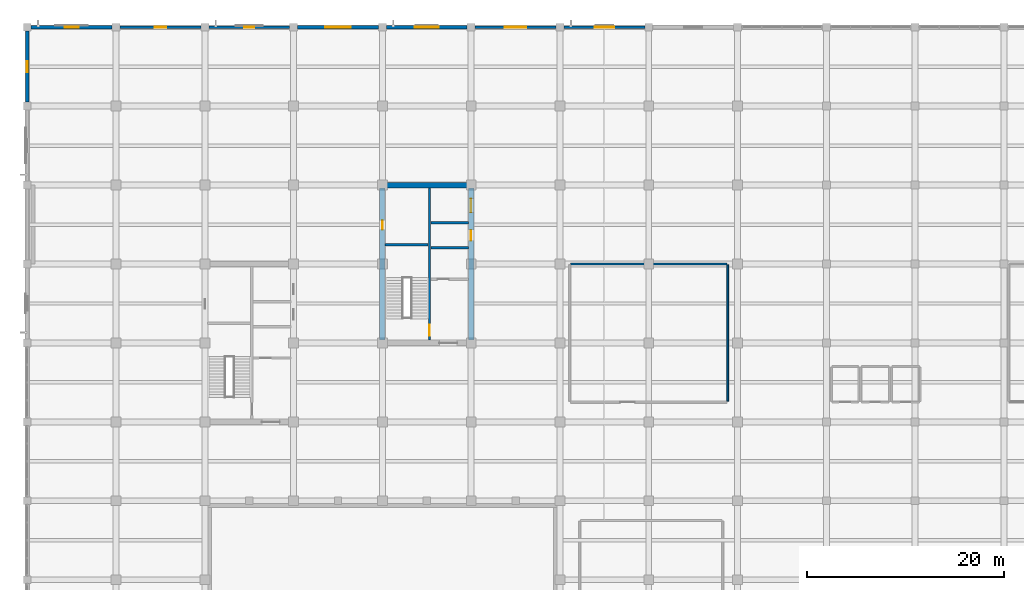
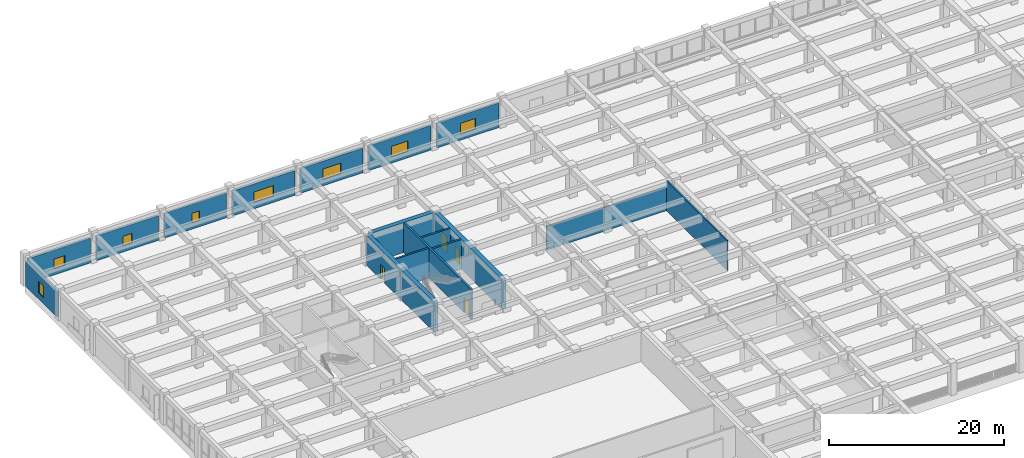
# One storey, part 30 of 50: 17 walls, 8 windows, 4 doors, 12 openings.
"""IFC4 building model written with IfcOpenShell, lengths in metres."""

from ifc_helpers import new_model, si_unit, direction, frame, frame_2d, origin, place, context, subcontext, project, spatial, rectangle, extrude, material, layer, layer_set, type_object, element, fill, save


model = new_model("IFC4")

# Units and contexts
model_context = context("Model", 3, precision=1e-05, world=origin(), true_north=direction((0.0, 1.0)))
body_context = subcontext(model_context, "Body", "Model", "MODEL_VIEW")
ifc_project = project(units=[si_unit("LENGTHUNIT", "METRE"), si_unit("AREAUNIT", "SQUARE_METRE"), si_unit("VOLUMEUNIT", "CUBIC_METRE"), si_unit("PLANEANGLEUNIT", "RADIAN"), si_unit("MASSUNIT", "GRAM", prefix="KILO")], contexts=[model_context])

# Site, building, storey
site_placement = place(None, origin())
site = spatial("IfcSite", under=ifc_project, at=site_placement, CompositionType="ELEMENT")
building_placement = place(site_placement, origin())
building = spatial("IfcBuilding", under=site, at=building_placement, Name="Zaverband Oceanarium and Marine Research Institute", CompositionType="ELEMENT")
storey_placement = place(building_placement, frame((0.0, 0.0, 4.5)))
storey = spatial("IfcBuildingStorey", under=building, at=storey_placement, Name="L01", CompositionType="ELEMENT", Elevation=4.5)

# Wall
ifc_material_1 = material(Name="Concrete C50/60", Category="concrete")
ifc_layer_1 = layer(ifc_material_1, 0.550048828125, Name="Concrete C50/60")
ifc_layer_set_1 = layer_set([ifc_layer_1], Name="Concrete C50/60")
wall_type_1 = type_object("IfcWallType", Name="CW-01", PredefinedType="SHEAR", material=ifc_layer_set_1)
wall_1_placement = place(storey_placement, frame((36.27490234375, 104.0, 0.0), z_axis=(0.0, 0.0, 1.0), x_axis=(1.0, 0.0, 0.0)))
element("IfcWall", 1, at=wall_1_placement, inside=storey, type_object=wall_type_1, Name="Structural shear wall CW-01", PredefinedType="SHEAR", context=body_context, shape_type="SweptSolid", body=[
    extrude(rectangle(XDim=8.4501953125, YDim=0.550048828125, at=frame_2d((4.22509765625, 0.0))), origin(), (0.0, 0.0, 1.0), 4.179931640625),
])

# Wall, opening, door
wall_2_placement = place(storey_placement, frame((36.0, 88.27490234375, 0.0), z_axis=(0.0, 0.0, 1.0), x_axis=(0.0, 1.0, 0.0)))
wall_2 = element("IfcWall", 2, at=wall_2_placement, inside=storey, type_object=wall_type_1, Name="Structural shear wall CW-01", PredefinedType="SHEAR", context=body_context, shape_type="SweptSolid", body=[
    extrude(rectangle(XDim=15.4501953125, YDim=0.550048828125, at=frame_2d((7.72509765625, 0.0))), origin(), (0.0, 0.0, 1.0), 4.179931640625),
])
opening_1_placement = place(wall_2_placement, frame((11.199951171875, 0.0, 0.0)))
opening_1 = element("IfcOpeningElement", 3, at=opening_1_placement, cuts=wall_2, Name="Opening FD-03", PredefinedType="OPENING", context=body_context, shape_type="SweptSolid", body=[
    extrude(rectangle(XDim=0.949951171875, YDim=2.10009765625, at=frame_2d((0.47509765625, 1.050048828125))), frame((0.0, 0.287109375, 0.0), z_axis=(0.0, -1.0, 0.0), x_axis=(1.0, 0.0, 0.0)), (0.0, 0.0, 1.0), 0.573974609375),
])
ifc_material_2 = material(Name="Steel S355", Category="steel")
door_type_1 = type_object("IfcDoorType", Name="FD-03", OperationType="NOTDEFINED", PredefinedType="DOOR", material=ifc_material_2)
door_1_placement = place(opening_1_placement, origin())
door_1 = element("IfcDoor", 4, at=door_1_placement, inside=storey, type_object=door_type_1, Name="Service riser access fire door FD-03", OperationType="SINGLE_SWING_RIGHT", OverallHeight=2.10009765625, OverallWidth=0.949951171875, PredefinedType="DOOR", context=body_context, shape_type="SweptSolid", body=[
    extrude(rectangle(XDim=0.949951171875, YDim=2.10009765625, at=frame_2d((0.47509765625, 1.050048828125))), frame((0.0, 0.02490234375, 0.0), z_axis=(0.0, -1.0, 0.0), x_axis=(1.0, 0.0, 0.0)), (0.0, 0.0, 1.0), 0.050048828125),
])
fill(opening_1, door_1)

# Wall, openings, doors
wall_3_placement = place(storey_placement, frame((45.0, 88.27490234375, 0.0), z_axis=(0.0, 0.0, 1.0), x_axis=(0.0, 1.0, 0.0)))
wall_3 = element("IfcWall", 5, at=wall_3_placement, inside=storey, type_object=wall_type_1, Name="Structural shear wall CW-01", PredefinedType="SHEAR", context=body_context, shape_type="SweptSolid", body=[
    extrude(rectangle(XDim=15.4501953125, YDim=0.550048828125, at=frame_2d((7.72509765625, 0.0))), origin(), (0.0, 0.0, 1.0), 4.179931640625),
])
opening_2_placement = place(wall_3_placement, frame((10.10009765625, 0.0, 0.0)))
opening_2 = element("IfcOpeningElement", 6, at=opening_2_placement, cuts=wall_3, Name="Opening LD-02", PredefinedType="OPENING", context=body_context, shape_type="SweptSolid", body=[
    extrude(rectangle(XDim=1.050048828125, YDim=2.1201171875, at=frame_2d((0.52490234375, 1.06005859375))), frame((0.0, 0.287109375, 0.0), z_axis=(0.0, -1.0, 0.0), x_axis=(1.0, 0.0, 0.0)), (0.0, 0.0, 1.0), 0.573974609375),
])
opening_3_placement = place(wall_3_placement, frame((12.949951171875, 0.0, 0.0)))
opening_3 = element("IfcOpeningElement", 7, at=opening_3_placement, cuts=wall_3, Name="Opening LD-03", PredefinedType="OPENING", context=body_context, shape_type="SweptSolid", body=[
    extrude(rectangle(XDim=1.39990234375, YDim=2.199951171875, at=frame_2d((0.699951171875, 1.10009765625))), frame((0.0, 0.287109375, 0.0), z_axis=(0.0, -1.0, 0.0), x_axis=(1.0, 0.0, 0.0)), (0.0, 0.0, 1.0), 0.573974609375),
])
door_type_2 = type_object("IfcDoorType", Name="LD-02", OperationType="DOUBLE_DOOR_SLIDING", PredefinedType="DOOR", material=ifc_material_2)
door_2_placement = place(opening_2_placement, origin())
door_2 = element("IfcDoor", 8, at=door_2_placement, inside=storey, type_object=door_type_2, Name="Passenger lift sliding landing door LD-02", OperationType="DOUBLE_DOOR_SLIDING", OverallHeight=2.1201171875, OverallWidth=1.050048828125, PredefinedType="DOOR", context=body_context, shape_type="SweptSolid", body=[
    extrude(rectangle(XDim=1.050048828125, YDim=2.1201171875, at=frame_2d((0.52490234375, 1.06005859375))), frame((0.0, 0.02490234375, 0.0), z_axis=(0.0, -1.0, 0.0), x_axis=(1.0, 0.0, 0.0)), (0.0, 0.0, 1.0), 0.050048828125),
])
fill(opening_2, door_2)
door_type_3 = type_object("IfcDoorType", Name="LD-03", OperationType="DOUBLE_DOOR_SLIDING", PredefinedType="DOOR", material=ifc_material_2)
door_3_placement = place(opening_3_placement, origin())
door_3 = element("IfcDoor", 9, at=door_3_placement, inside=storey, type_object=door_type_3, Name="Specimen goods lift sliding landing door LD-03", OperationType="DOUBLE_DOOR_SLIDING", OverallHeight=2.199951171875, OverallWidth=1.39990234375, PredefinedType="DOOR", context=body_context, shape_type="SweptSolid", body=[
    extrude(rectangle(XDim=1.39990234375, YDim=2.199951171875, at=frame_2d((0.699951171875, 1.10009765625))), frame((0.0, 0.02490234375, 0.0), z_axis=(0.0, -1.0, 0.0), x_axis=(1.0, 0.0, 0.0)), (0.0, 0.0, 1.0), 0.050048828125),
])
fill(opening_3, door_3)

# Wall, opening, window
ifc_material_3 = material(Name="Concrete C40/50 precast", Category="concrete")
ifc_layer_2 = layer(ifc_material_3, 0.264892578125, Name="Concrete C40/50 precast")
ifc_layer_set_2 = layer_set([ifc_layer_2], Name="Concrete C40/50 precast")
wall_type_2 = type_object("IfcWallType", Name="EW-265", PredefinedType="STANDARD", material=ifc_layer_set_2)
wall_4_placement = place(storey_placement, frame((18.405029296875, 120.0, 0.0), z_axis=(0.0, 0.0, 1.0), x_axis=(1.0, 0.0, 0.0)))
wall_4 = element("IfcWall", 10, at=wall_4_placement, inside=storey, type_object=wall_type_2, Name="Exterior infill wall EW-265", PredefinedType="STANDARD", context=body_context, shape_type="SweptSolid", body=[
    extrude(rectangle(XDim=8.18994140625, YDim=0.264892578125, at=frame_2d((4.094970703125, 0.0))), origin(), (0.0, 0.0, 1.0), 3.4599609375),
])
opening_4_placement = place(wall_4_placement, frame((3.594970703125, 0.0, 0.85009765625)))
opening_4 = element("IfcOpeningElement", 11, at=opening_4_placement, cuts=wall_4, Name="Opening WN-1000x1350", PredefinedType="OPENING", context=body_context, shape_type="SweptSolid", body=[
    extrude(rectangle(XDim=1.0, YDim=1.35009765625, at=frame_2d((0.5, 0.675048828125))), frame((0.0, 0.14453125, 0.0), z_axis=(0.0, -1.0, 0.0), x_axis=(1.0, 0.0, 0.0)), (0.0, 0.0, 1.0), 0.288818359375),
])
ifc_material_4 = material(Name="Thermally broken anodized aluminium and solar-control glass", Category="aluminium")
window_type_1 = type_object("IfcWindowType", Name="WN-1000x1350", PartitioningType="SINGLE_PANEL", PredefinedType="WINDOW", material=ifc_material_4)
window_1_placement = place(opening_4_placement, origin())
window_1 = element("IfcWindow", 12, at=window_1_placement, inside=storey, type_object=window_type_1, Name="Fixed / casement exterior window WN-1000x1350", OverallHeight=1.35009765625, OverallWidth=1.0, PartitioningType="SINGLE_PANEL", PredefinedType="WINDOW", context=body_context, shape_type="SweptSolid", body=[
    extrude(rectangle(XDim=1.0, YDim=1.35009765625, at=frame_2d((0.5, 0.675048828125))), frame((0.0, 0.030029296875, 0.0), z_axis=(0.0, -1.0, 0.0), x_axis=(1.0, 0.0, 0.0)), (0.0, 0.0, 1.0), 0.06005859375),
])
fill(opening_4, window_1)

wall_5_placement = place(storey_placement, frame((54.405029296875, 120.0, 0.0), z_axis=(0.0, 0.0, 1.0), x_axis=(1.0, 0.0, 0.0)))
wall_5 = element("IfcWall", 13, at=wall_5_placement, inside=storey, type_object=wall_type_2, Name="Exterior infill wall EW-265", PredefinedType="STANDARD", context=body_context, shape_type="SweptSolid", body=[
    extrude(rectangle(XDim=8.18994140625, YDim=0.264892578125, at=frame_2d((4.094970703125, 0.0))), origin(), (0.0, 0.0, 1.0), 3.4599609375),
])
opening_5_placement = place(wall_5_placement, frame((3.094970703125, 0.0, 0.85009765625)))
opening_5 = element("IfcOpeningElement", 14, at=opening_5_placement, cuts=wall_5, Name="Opening WN-2000x1500", PredefinedType="OPENING", context=body_context, shape_type="SweptSolid", body=[
    extrude(rectangle(XDim=2.0, YDim=1.5, at=frame_2d((1.0, 0.75))), frame((0.0, 0.14453125, 0.0), z_axis=(0.0, -1.0, 0.0), x_axis=(1.0, 0.0, 0.0)), (0.0, 0.0, 1.0), 0.288818359375),
])
window_type_2 = type_object("IfcWindowType", Name="WN-2000x1500", PartitioningType="SINGLE_PANEL", PredefinedType="WINDOW", material=ifc_material_4)
window_2_placement = place(opening_5_placement, origin())
window_2 = element("IfcWindow", 15, at=window_2_placement, inside=storey, type_object=window_type_2, Name="Fixed / casement exterior window WN-2000x1500", OverallHeight=1.5, OverallWidth=2.0, PartitioningType="SINGLE_PANEL", PredefinedType="WINDOW", context=body_context, shape_type="SweptSolid", body=[
    extrude(rectangle(XDim=2.0, YDim=1.5, at=frame_2d((1.0, 0.75))), frame((0.0, 0.030029296875, 0.0), z_axis=(0.0, -1.0, 0.0), x_axis=(1.0, 0.0, 0.0)), (0.0, 0.0, 1.0), 0.06005859375),
])
fill(opening_5, window_2)

ifc_layer_3 = layer(ifc_material_3, 0.2900390625, Name="Concrete C40/50 precast")
ifc_layer_set_3 = layer_set([ifc_layer_3], Name="Concrete C40/50 precast")
wall_type_3 = type_object("IfcWallType", Name="EW-290", PredefinedType="STANDARD", material=ifc_layer_set_3)
wall_6_placement = place(storey_placement, frame((9.405029296875, 120.0, 0.0), z_axis=(0.0, 0.0, 1.0), x_axis=(1.0, 0.0, 0.0)))
wall_6 = element("IfcWall", 16, at=wall_6_placement, inside=storey, type_object=wall_type_3, Name="Exterior infill wall EW-290", PredefinedType="STANDARD", context=body_context, shape_type="SweptSolid", body=[
    extrude(rectangle(XDim=8.18994140625, YDim=0.2900390625, at=frame_2d((4.094970703125, 0.0))), origin(), (0.0, 0.0, 1.0), 3.4599609375),
])
opening_6_placement = place(wall_6_placement, frame((3.4951171875, 0.0, 0.85009765625)))
opening_6 = element("IfcOpeningElement", 17, at=opening_6_placement, cuts=wall_6, Name="Opening WN-1200x1350", PredefinedType="OPENING", context=body_context, shape_type="SweptSolid", body=[
    extrude(rectangle(XDim=1.199951171875, YDim=1.35009765625, at=frame_2d((0.60009765625, 0.675048828125))), frame((0.0, 0.156982421875, 0.0), z_axis=(0.0, -1.0, 0.0), x_axis=(1.0, 0.0, 0.0)), (0.0, 0.0, 1.0), 0.31396484375),
])
window_type_3 = type_object("IfcWindowType", Name="WN-1200x1350", PartitioningType="SINGLE_PANEL", PredefinedType="WINDOW", material=ifc_material_4)
window_3_placement = place(opening_6_placement, origin())
window_3 = element("IfcWindow", 18, at=window_3_placement, inside=storey, type_object=window_type_3, Name="Fixed / casement exterior window WN-1200x1350", OverallHeight=1.35009765625, OverallWidth=1.199951171875, PartitioningType="SINGLE_PANEL", PredefinedType="WINDOW", context=body_context, shape_type="SweptSolid", body=[
    extrude(rectangle(XDim=1.199951171875, YDim=1.35009765625, at=frame_2d((0.60009765625, 0.675048828125))), frame((0.0, 0.030029296875, 0.0), z_axis=(0.0, -1.0, 0.0), x_axis=(1.0, 0.0, 0.0)), (0.0, 0.0, 1.0), 0.06005859375),
])
fill(opening_6, window_3)

wall_7_placement = place(storey_placement, frame((45.405029296875, 120.0, 0.0), z_axis=(0.0, 0.0, 1.0), x_axis=(1.0, 0.0, 0.0)))
wall_7 = element("IfcWall", 19, at=wall_7_placement, inside=storey, type_object=wall_type_3, Name="Exterior infill wall EW-290", PredefinedType="STANDARD", context=body_context, shape_type="SweptSolid", body=[
    extrude(rectangle(XDim=8.18994140625, YDim=0.2900390625, at=frame_2d((4.094970703125, 0.0))), origin(), (0.0, 0.0, 1.0), 3.4599609375),
])
opening_7_placement = place(wall_7_placement, frame((2.9951171875, 0.0, 0.85009765625)))
opening_7 = element("IfcOpeningElement", 20, at=opening_7_placement, cuts=wall_7, Name="Opening WN-2200x1500", PredefinedType="OPENING", context=body_context, shape_type="SweptSolid", body=[
    extrude(rectangle(XDim=2.199951171875, YDim=1.5, at=frame_2d((1.10009765625, 0.75))), frame((0.0, 0.156982421875, 0.0), z_axis=(0.0, -1.0, 0.0), x_axis=(1.0, 0.0, 0.0)), (0.0, 0.0, 1.0), 0.31396484375),
])
window_type_4 = type_object("IfcWindowType", Name="WN-2200x1500", PartitioningType="SINGLE_PANEL", PredefinedType="WINDOW", material=ifc_material_4)
window_4_placement = place(opening_7_placement, origin())
window_4 = element("IfcWindow", 21, at=window_4_placement, inside=storey, type_object=window_type_4, Name="Fixed / casement exterior window WN-2200x1500", OverallHeight=1.5, OverallWidth=2.199951171875, PartitioningType="SINGLE_PANEL", PredefinedType="WINDOW", context=body_context, shape_type="SweptSolid", body=[
    extrude(rectangle(XDim=2.199951171875, YDim=1.5, at=frame_2d((1.10009765625, 0.75))), frame((0.0, 0.030029296875, 0.0), z_axis=(0.0, -1.0, 0.0), x_axis=(1.0, 0.0, 0.0)), (0.0, 0.0, 1.0), 0.06005859375),
])
fill(opening_7, window_4)

ifc_layer_4 = layer(ifc_material_3, 0.31005859375, Name="Concrete C40/50 precast")
ifc_layer_set_4 = layer_set([ifc_layer_4], Name="Concrete C40/50 precast")
wall_type_4 = type_object("IfcWallType", Name="EW-310", PredefinedType="STANDARD", material=ifc_layer_set_4)
wall_8_placement = place(storey_placement, frame((0.405029296875, 120.0, 0.0), z_axis=(0.0, 0.0, 1.0), x_axis=(1.0, 0.0, 0.0)))
wall_8 = element("IfcWall", 22, at=wall_8_placement, inside=storey, type_object=wall_type_4, Name="Exterior infill wall EW-310", PredefinedType="STANDARD", context=body_context, shape_type="SweptSolid", body=[
    extrude(rectangle(XDim=8.18994140625, YDim=0.31005859375, at=frame_2d((4.094970703125, 0.0))), origin(), (0.0, 0.0, 1.0), 3.4599609375),
])
opening_8_placement = place(wall_8_placement, frame((3.39501953125, 0.0, 0.85009765625)))
opening_8 = element("IfcOpeningElement", 23, at=opening_8_placement, cuts=wall_8, Name="Opening WN-1400x1350", PredefinedType="OPENING", context=body_context, shape_type="SweptSolid", body=[
    extrude(rectangle(XDim=1.39990234375, YDim=1.35009765625, at=frame_2d((0.699951171875, 0.675048828125))), frame((0.0, 0.1669921875, 0.0), z_axis=(0.0, -1.0, 0.0), x_axis=(1.0, 0.0, 0.0)), (0.0, 0.0, 1.0), 0.333984375),
])
window_type_5 = type_object("IfcWindowType", Name="WN-1400x1350", PartitioningType="SINGLE_PANEL", PredefinedType="WINDOW", material=ifc_material_4)
window_5_placement = place(opening_8_placement, origin())
window_5 = element("IfcWindow", 24, at=window_5_placement, inside=storey, type_object=window_type_5, Name="Fixed / casement exterior window WN-1400x1350", OverallHeight=1.35009765625, OverallWidth=1.39990234375, PartitioningType="SINGLE_PANEL", PredefinedType="WINDOW", context=body_context, shape_type="SweptSolid", body=[
    extrude(rectangle(XDim=1.39990234375, YDim=1.35009765625, at=frame_2d((0.699951171875, 0.675048828125))), frame((0.0, 0.030029296875, 0.0), z_axis=(0.0, -1.0, 0.0), x_axis=(1.0, 0.0, 0.0)), (0.0, 0.0, 1.0), 0.06005859375),
])
fill(opening_8, window_5)

wall_9_placement = place(storey_placement, frame((36.405029296875, 120.0, 0.0), z_axis=(0.0, 0.0, 1.0), x_axis=(1.0, 0.0, 0.0)))
wall_9 = element("IfcWall", 25, at=wall_9_placement, inside=storey, type_object=wall_type_4, Name="Exterior infill wall EW-310", PredefinedType="STANDARD", context=body_context, shape_type="SweptSolid", body=[
    extrude(rectangle(XDim=8.18994140625, YDim=0.31005859375, at=frame_2d((4.094970703125, 0.0))), origin(), (0.0, 0.0, 1.0), 3.4599609375),
])
opening_9_placement = place(wall_9_placement, frame((2.89501953125, 0.0, 0.85009765625)))
opening_9 = element("IfcOpeningElement", 26, at=opening_9_placement, cuts=wall_9, Name="Opening WN-2400x1500", PredefinedType="OPENING", context=body_context, shape_type="SweptSolid", body=[
    extrude(rectangle(XDim=2.39990234375, YDim=1.5, at=frame_2d((1.199951171875, 0.75))), frame((0.0, 0.1669921875, 0.0), z_axis=(0.0, -1.0, 0.0), x_axis=(1.0, 0.0, 0.0)), (0.0, 0.0, 1.0), 0.333984375),
])
window_type_6 = type_object("IfcWindowType", Name="WN-2400x1500", PartitioningType="SINGLE_PANEL", PredefinedType="WINDOW", material=ifc_material_4)
window_6_placement = place(opening_9_placement, origin())
window_6 = element("IfcWindow", 27, at=window_6_placement, inside=storey, type_object=window_type_6, Name="Fixed / casement exterior window WN-2400x1500", OverallHeight=1.5, OverallWidth=2.39990234375, PartitioningType="SINGLE_PANEL", PredefinedType="WINDOW", context=body_context, shape_type="SweptSolid", body=[
    extrude(rectangle(XDim=2.39990234375, YDim=1.5, at=frame_2d((1.199951171875, 0.75))), frame((0.0, 0.030029296875, 0.0), z_axis=(0.0, -1.0, 0.0), x_axis=(1.0, 0.0, 0.0)), (0.0, 0.0, 1.0), 0.06005859375),
])
fill(opening_9, window_6)

wall_10_placement = place(storey_placement, frame((0.0, 112.405029296875, 0.0), z_axis=(0.0, 0.0, 1.0), x_axis=(0.0, 1.0, 0.0)))
wall_10 = element("IfcWall", 28, at=wall_10_placement, inside=storey, type_object=wall_type_4, Name="Exterior infill wall EW-310", PredefinedType="STANDARD", context=body_context, shape_type="SweptSolid", body=[
    extrude(rectangle(XDim=7.18994140625, YDim=0.31005859375, at=frame_2d((3.594970703125, 0.0))), origin(), (0.0, 0.0, 1.0), 3.4599609375),
])
opening_10_placement = place(wall_10_placement, frame((3.044921875, 0.0, 0.85009765625)))
opening_10 = element("IfcOpeningElement", 29, at=opening_10_placement, cuts=wall_10, Name="Opening WN-1100x1650", PredefinedType="OPENING", context=body_context, shape_type="SweptSolid", body=[
    extrude(rectangle(XDim=1.10009765625, YDim=1.64990234375, at=frame_2d((0.550048828125, 0.824951171875))), frame((0.0, 0.1669921875, 0.0), z_axis=(0.0, -1.0, 0.0), x_axis=(1.0, 0.0, 0.0)), (0.0, 0.0, 1.0), 0.333984375),
])
window_type_7 = type_object("IfcWindowType", Name="WN-1100x1650", PartitioningType="SINGLE_PANEL", PredefinedType="WINDOW", material=ifc_material_4)
window_7_placement = place(opening_10_placement, origin())
window_7 = element("IfcWindow", 30, at=window_7_placement, inside=storey, type_object=window_type_7, Name="Fixed / casement exterior window WN-1100x1650", OverallHeight=1.64990234375, OverallWidth=1.10009765625, PartitioningType="SINGLE_PANEL", PredefinedType="WINDOW", context=body_context, shape_type="SweptSolid", body=[
    extrude(rectangle(XDim=1.10009765625, YDim=1.64990234375, at=frame_2d((0.550048828125, 0.824951171875))), frame((0.0, 0.030029296875, 0.0), z_axis=(0.0, -1.0, 0.0), x_axis=(1.0, 0.0, 0.0)), (0.0, 0.0, 1.0), 0.06005859375),
])
fill(opening_10, window_7)

ifc_layer_5 = layer(ifc_material_3, 0.340087890625, Name="Concrete C40/50 precast")
ifc_layer_set_5 = layer_set([ifc_layer_5], Name="Concrete C40/50 precast")
wall_type_5 = type_object("IfcWallType", Name="EW-340", PredefinedType="STANDARD", material=ifc_layer_set_5)
wall_11_placement = place(storey_placement, frame((27.405029296875, 120.0, 0.0), z_axis=(0.0, 0.0, 1.0), x_axis=(1.0, 0.0, 0.0)))
wall_11 = element("IfcWall", 31, at=wall_11_placement, inside=storey, type_object=wall_type_5, Name="Exterior infill wall EW-340", PredefinedType="STANDARD", context=body_context, shape_type="SweptSolid", body=[
    extrude(rectangle(XDim=8.18994140625, YDim=0.340087890625, at=frame_2d((4.094970703125, 0.0))), origin(), (0.0, 0.0, 1.0), 3.4599609375),
])
opening_11_placement = place(wall_11_placement, frame((2.794921875, 0.0, 0.85009765625)))
opening_11 = element("IfcOpeningElement", 32, at=opening_11_placement, cuts=wall_11, Name="Opening WN-2600x1500", PredefinedType="OPENING", context=body_context, shape_type="SweptSolid", body=[
    extrude(rectangle(XDim=2.60009765625, YDim=1.5, at=frame_2d((1.300048828125, 0.75))), frame((0.0, 0.18212890625, 0.0), z_axis=(0.0, -1.0, 0.0), x_axis=(1.0, 0.0, 0.0)), (0.0, 0.0, 1.0), 0.364013671875),
])
window_type_8 = type_object("IfcWindowType", Name="WN-2600x1500", PartitioningType="SINGLE_PANEL", PredefinedType="WINDOW", material=ifc_material_4)
window_8_placement = place(opening_11_placement, origin())
window_8 = element("IfcWindow", 33, at=window_8_placement, inside=storey, type_object=window_type_8, Name="Fixed / casement exterior window WN-2600x1500", OverallHeight=1.5, OverallWidth=2.60009765625, PartitioningType="SINGLE_PANEL", PredefinedType="WINDOW", context=body_context, shape_type="SweptSolid", body=[
    extrude(rectangle(XDim=2.60009765625, YDim=1.5, at=frame_2d((1.300048828125, 0.75))), frame((0.0, 0.030029296875, 0.0), z_axis=(0.0, -1.0, 0.0), x_axis=(1.0, 0.0, 0.0)), (0.0, 0.0, 1.0), 0.06005859375),
])
fill(opening_11, window_8)

# Walls
ifc_material_5 = material(Name="Moisture-resistant laboratory blockwork", Category="masonry")
ifc_layer_6 = layer(ifc_material_5, 0.179931640625, Name="Moisture-resistant laboratory blockwork")
ifc_layer_set_6 = layer_set([ifc_layer_6], Name="Moisture-resistant laboratory blockwork")
wall_type_6 = type_object("IfcWallType", Name="PT-180-LB", PredefinedType="PARTITIONING", material=ifc_layer_set_6)
wall_12_placement = place(storey_placement, frame((55.090087890625, 96.0, 0.0), z_axis=(0.0, 0.0, 1.0), x_axis=(1.0, 0.0, 0.0)))
element("IfcWall", 34, at=wall_12_placement, inside=storey, type_object=wall_type_6, Name="Internal partition PT-180-LB", PredefinedType="PARTITIONING", context=body_context, shape_type="SweptSolid", body=[
    extrude(rectangle(XDim=15.81982421875, YDim=0.179931640625, at=frame_2d((7.909912109375, 0.0))), origin(), (0.0, 0.0, 1.0), 3.330078125),
])
wall_13_placement = place(storey_placement, frame((71.0, 82.090087890625, 0.0), z_axis=(0.0, 0.0, 1.0), x_axis=(0.0, 1.0, 0.0)))
element("IfcWall", 35, at=wall_13_placement, inside=storey, type_object=wall_type_6, Name="Internal partition PT-180-LB", PredefinedType="PARTITIONING", context=body_context, shape_type="SweptSolid", body=[
    extrude(rectangle(XDim=13.81982421875, YDim=0.179931640625, at=frame_2d((6.909912109375, 0.0))), origin(), (0.0, 0.0, 1.0), 4.179931640625),
])

# Wall, opening, door
ifc_layer_7 = layer(ifc_material_1, 0.25, Name="Concrete C50/60")
ifc_layer_set_7 = layer_set([ifc_layer_7], Name="Concrete C50/60")
wall_type_7 = type_object("IfcWallType", Name="PW-CORE-250", PredefinedType="SOLIDWALL", material=ifc_layer_set_7)
wall_14_placement = place(storey_placement, frame((40.77490234375, 88.27490234375, 0.0), z_axis=(0.0, 0.0, 1.0), x_axis=(0.0, 1.0, 0.0)))
wall_14 = element("IfcWall", 36, at=wall_14_placement, inside=storey, type_object=wall_type_7, Name="Structural concrete wall PW-CORE-250", PredefinedType="SOLIDWALL", context=body_context, shape_type="SweptSolid", body=[
    extrude(rectangle(XDim=15.4501953125, YDim=0.25, at=frame_2d((7.72509765625, 0.0))), origin(), (0.0, 0.0, 1.0), 4.179931640625),
])
opening_12_placement = place(wall_14_placement, frame((0.449951171875, 0.0, 0.0)))
opening_12 = element("IfcOpeningElement", 37, at=opening_12_placement, cuts=wall_14, Name="Opening FD-01", PredefinedType="OPENING", context=body_context, shape_type="SweptSolid", body=[
    extrude(rectangle(XDim=1.10009765625, YDim=2.14990234375, at=frame_2d((0.550048828125, 1.074951171875))), frame((0.0, 0.136962890625, 0.0), z_axis=(0.0, -1.0, 0.0), x_axis=(1.0, 0.0, 0.0)), (0.0, 0.0, 1.0), 0.27392578125),
])
door_type_4 = type_object("IfcDoorType", Name="FD-01", OperationType="NOTDEFINED", PredefinedType="DOOR", material=ifc_material_2)
door_4_placement = place(opening_12_placement, origin())
door_4 = element("IfcDoor", 38, at=door_4_placement, inside=storey, type_object=door_type_4, Name="Core stair / lobby fire door FD-01", OperationType="SINGLE_SWING_RIGHT", OverallHeight=2.14990234375, OverallWidth=1.10009765625, PredefinedType="DOOR", context=body_context, shape_type="SweptSolid", body=[
    extrude(rectangle(XDim=1.10009765625, YDim=2.14990234375, at=frame_2d((0.550048828125, 1.074951171875))), frame((0.0, 0.02490234375, 0.0), z_axis=(0.0, -1.0, 0.0), x_axis=(1.0, 0.0, 0.0)), (0.0, 0.0, 1.0), 0.050048828125),
])
fill(opening_12, door_4)

# Walls
wall_15_placement = place(storey_placement, frame((36.27490234375, 97.97509765625, 0.0), z_axis=(0.0, 0.0, 1.0), x_axis=(1.0, 0.0, 0.0)))
element("IfcWall", 39, at=wall_15_placement, inside=storey, type_object=wall_type_7, Name="Structural concrete wall PW-CORE-250", PredefinedType="SOLIDWALL", context=body_context, shape_type="SweptSolid", body=[
    extrude(rectangle(XDim=4.3701171875, YDim=0.25, at=frame_2d((2.18505859375, 0.0))), origin(), (0.0, 0.0, 1.0), 4.179931640625),
])
for number, where, z_axis, x_axis, name in (
    (40, (40.905029296875, 97.6298828125, 0.0), (0.0, 0.0, 1.0), (1.0, 0.0, 0.0), "Structural concrete wall PW-CORE-250"),
    (41, (40.905029296875, 100.179931640625, 0.0), (0.0, 0.0, 1.0), (1.0, 0.0, 0.0), "Structural concrete wall PW-CORE-250"),
):
    element("IfcWall", number, at=place(storey_placement, frame(where, z_axis=z_axis, x_axis=x_axis)), inside=storey, type_object=wall_type_7, Name=name, PredefinedType="SOLIDWALL", context=body_context, shape_type="SweptSolid", body=[
        extrude(rectangle(XDim=3.820068359375, YDim=0.25, at=frame_2d((1.91015625, 0.0))), origin(), (0.0, 0.0, 1.0), 4.179931640625),
    ])

save(model, "model.ifc")
